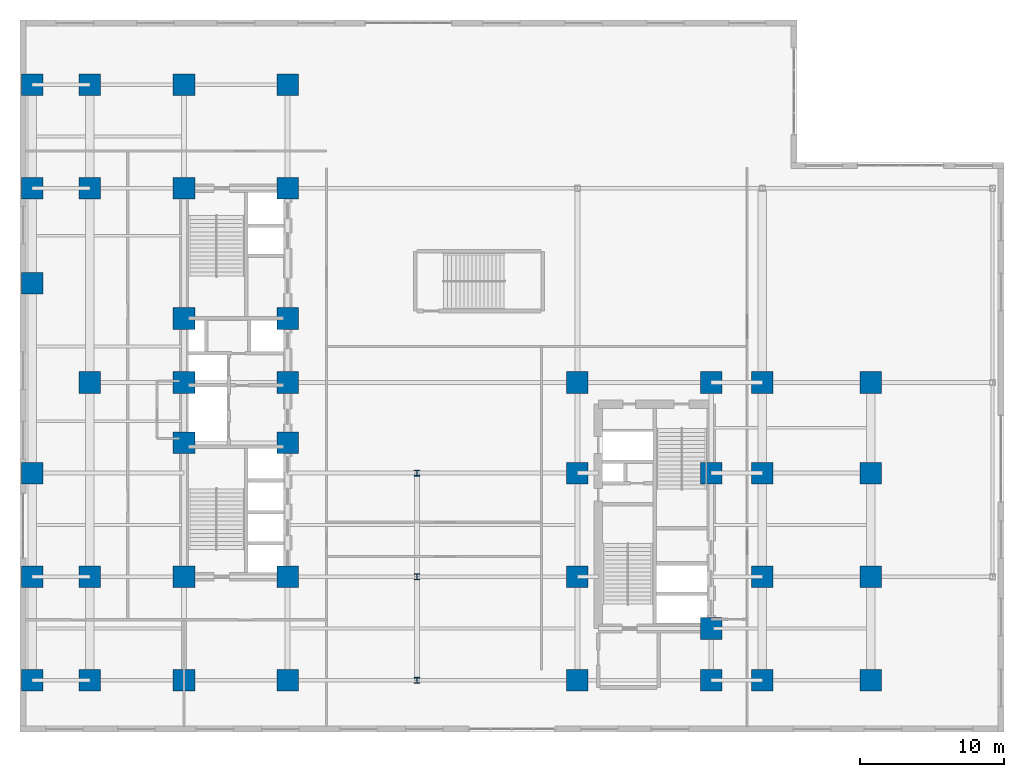
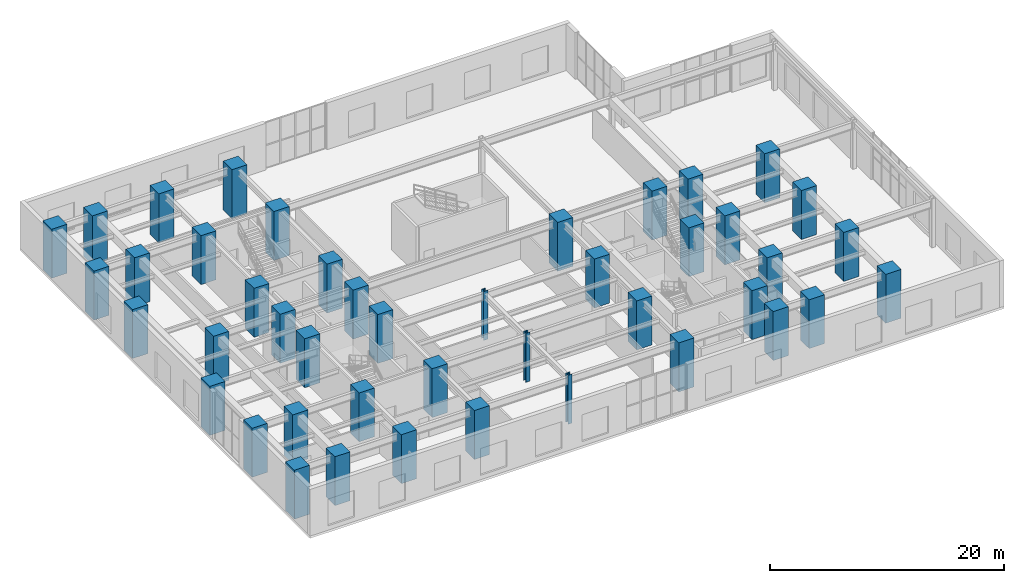
# One storey, part 1 of 23: 44 columns.
"""IFC4 building model written with IfcOpenShell, lengths in metres."""

from ifc_helpers import new_model, entity, si_unit, converted_unit, direction, frame, origin_with_axes, origin_2d_with_axis, place, context, subcontext, project, spatial, rectangle, i_section, extrude, material, material_profile, profile_set, type_object, element, save


model = new_model("IFC4")

# Units and contexts
model_context = context("Model", 3, precision=1e-05, world=origin_with_axes(), true_north=direction((0.0, 1.0)))
body_context = subcontext(model_context, "Body", "Model", "MODEL_VIEW")
ifc_project = project(units=[si_unit("LENGTHUNIT", "METRE"), si_unit("AREAUNIT", "SQUARE_METRE"), si_unit("VOLUMEUNIT", "CUBIC_METRE"), converted_unit("PLANEANGLEUNIT", "DEGREE", entity("IfcPlaneAngleMeasure", 0.017453292519943295), si_unit("PLANEANGLEUNIT", "RADIAN"), dimensions=[0, 0, 0, 0, 0, 0, 0]), si_unit("MASSUNIT", "GRAM", prefix="KILO"), si_unit("THERMODYNAMICTEMPERATUREUNIT", "KELVIN")], contexts=[model_context])

# Site, building, storey
site_placement = place(None, origin_with_axes())
site = spatial("IfcSite", under=ifc_project, at=site_placement, CompositionType="ELEMENT")
building_placement = place(site_placement, origin_with_axes())
building = spatial("IfcBuilding", under=site, at=building_placement, Name="Varnlund Millrace Tower", CompositionType="ELEMENT")
storey_placement = place(building_placement, frame((0.0, 0.0, 5.7), z_axis=(0.0, 0.0, 1.0), x_axis=(1.0, 0.0, 0.0)))
storey = spatial("IfcBuildingStorey", under=building, at=storey_placement, Name="L01", CompositionType="ELEMENT", Elevation=5.7)

# Columns
ifc_material_1 = material(Name="Steel ASTM A913 Grade 65", Category="steel")
ifc_material_profile_1 = material_profile(ifc_material_1, i_section(OverallWidth=0.406, OverallDepth=0.416, WebThickness=0.0298, FlangeThickness=0.048, FilletRadius=0.022, at=origin_2d_with_axis()), Name="Steel ASTM A913 Grade 65")
ifc_profile_set_1 = profile_set([ifc_material_profile_1], Name="Steel ASTM A913 Grade 65")
column_type_1 = type_object("IfcColumnType", Name="Type-Col-Int-W14X257", PredefinedType="COLUMN", material=ifc_profile_set_1)
for number, where, z_axis, x_axis, name in (
    (1, (27.6, 3.6, 0.0), (0.0, 0.0, 1.0), (1.0, 0.0, 0.0), "Type-Col-Int-W14X257"),
    (2, (27.6, 10.8, 0.0), (0.0, 0.0, 1.0), (1.0, 0.0, 0.0), "Type-Col-Int-W14X257"),
    (3, (27.6, 18.0, 0.0), (0.0, 0.0, 1.0), (1.0, 0.0, 0.0), "Type-Col-Int-W14X257"),
):
    element("IfcColumn", number, at=place(storey_placement, frame(where, z_axis=z_axis, x_axis=x_axis)), inside=storey, type_object=column_type_1, Name=name, PredefinedType="COLUMN", context=body_context, shape_type="SweptSolid", body=[
        extrude(i_section(OverallWidth=0.406, OverallDepth=0.416, WebThickness=0.0298, FlangeThickness=0.048, FilletRadius=0.022, at=origin_2d_with_axis()), origin_with_axes(), (0.0, 0.0, 1.0), 5.1),
    ])
ifc_material_2 = material(Name="Concrete C80/95", Category="concrete")
ifc_material_profile_2 = material_profile(ifc_material_2, rectangle(XDim=1.5, YDim=1.5, at=origin_2d_with_axis()), Name="Concrete C80/95")
ifc_profile_set_2 = profile_set([ifc_material_profile_2], Name="Concrete C80/95")
column_type_2 = type_object("IfcColumnType", Name="Type-Col-RC1500-C80", PredefinedType="COLUMN", material=ifc_profile_set_2)
for number, where, z_axis, x_axis, name in (
    (4, (11.4, 3.6, 0.0), (0.0, 0.0, 1.0), (1.0, 0.0, 0.0), "Type-Col-RC1500-C80"),
    (5, (11.4, 10.8, 0.0), (0.0, 0.0, 1.0), (1.0, 0.0, 0.0), "Type-Col-RC1500-C80"),
    (6, (11.4, 20.1, 0.0), (0.0, 0.0, 1.0), (1.0, 0.0, 0.0), "Type-Col-RC1500-C80"),
    (7, (11.4, 24.3, 0.0), (0.0, 0.0, 1.0), (1.0, 0.0, 0.0), "Type-Col-RC1500-C80"),
    (8, (11.4, 28.75, 0.0), (0.0, 0.0, 1.0), (1.0, 0.0, 0.0), "Type-Col-RC1500-C80"),
    (9, (11.4, 37.8, 0.0), (0.0, 0.0, 1.0), (1.0, 0.0, 0.0), "Type-Col-RC1500-C80"),
    (10, (11.4, 45.0, 0.0), (0.0, 0.0, 1.0), (1.0, 0.0, 0.0), "Type-Col-RC1500-C80"),
    (11, (18.6, 3.6, 0.0), (0.0, 0.0, 1.0), (1.0, 0.0, 0.0), "Type-Col-RC1500-C80"),
    (12, (18.6, 10.8, 0.0), (0.0, 0.0, 1.0), (1.0, 0.0, 0.0), "Type-Col-RC1500-C80"),
    (13, (18.6, 20.1, 0.0), (0.0, 0.0, 1.0), (1.0, 0.0, 0.0), "Type-Col-RC1500-C80"),
    (14, (18.6, 24.3, 0.0), (0.0, 0.0, 1.0), (1.0, 0.0, 0.0), "Type-Col-RC1500-C80"),
    (15, (18.6, 28.75, 0.0), (0.0, 0.0, 1.0), (1.0, 0.0, 0.0), "Type-Col-RC1500-C80"),
    (16, (18.6, 37.8, 0.0), (0.0, 0.0, 1.0), (1.0, 0.0, 0.0), "Type-Col-RC1500-C80"),
    (17, (18.6, 45.0, 0.0), (0.0, 0.0, 1.0), (1.0, 0.0, 0.0), "Type-Col-RC1500-C80"),
    (18, (4.85, 3.6, 0.0), (0.0, 0.0, 1.0), (1.0, 0.0, 0.0), "Type-Col-RC1500-C80"),
    (19, (4.85, 10.8, 0.0), (0.0, 0.0, 1.0), (1.0, 0.0, 0.0), "Type-Col-RC1500-C80"),
    (20, (4.85, 24.3, 0.0), (0.0, 0.0, 1.0), (1.0, 0.0, 0.0), "Type-Col-RC1500-C80"),
    (21, (4.85, 37.8, 0.0), (0.0, 0.0, 1.0), (1.0, 0.0, 0.0), "Type-Col-RC1500-C80"),
    (22, (4.85, 45.0, 0.0), (0.0, 0.0, 1.0), (1.0, 0.0, 0.0), "Type-Col-RC1500-C80"),
    (23, (0.85, 3.6, 0.0), (0.0, 0.0, 1.0), (1.0, 0.0, 0.0), "Type-Col-RC1500-C80"),
    (24, (0.85, 10.8, 0.0), (0.0, 0.0, 1.0), (1.0, 0.0, 0.0), "Type-Col-RC1500-C80"),
    (25, (0.85, 18.0, 0.0), (0.0, 0.0, 1.0), (1.0, 0.0, 0.0), "Type-Col-RC1500-C80"),
    (26, (0.85, 31.2, 0.0), (0.0, 0.0, 1.0), (1.0, 0.0, 0.0), "Type-Col-RC1500-C80"),
    (27, (0.85, 37.8, 0.0), (0.0, 0.0, 1.0), (1.0, 0.0, 0.0), "Type-Col-RC1500-C80"),
    (28, (0.85, 45.0, 0.0), (0.0, 0.0, 1.0), (1.0, 0.0, 0.0), "Type-Col-RC1500-C80"),
    (29, (38.75, 3.6, 0.0), (0.0, 0.0, 1.0), (1.0, 0.0, 0.0), "Type-Col-RC1500-C80"),
    (30, (38.75, 10.8, 0.0), (0.0, 0.0, 1.0), (1.0, 0.0, 0.0), "Type-Col-RC1500-C80"),
    (31, (38.75, 18.0, 0.0), (0.0, 0.0, 1.0), (1.0, 0.0, 0.0), "Type-Col-RC1500-C80"),
    (32, (38.75, 24.3, 0.0), (0.0, 0.0, 1.0), (1.0, 0.0, 0.0), "Type-Col-RC1500-C80"),
    (33, (48.05, 3.6, 0.0), (0.0, 0.0, 1.0), (1.0, 0.0, 0.0), "Type-Col-RC1500-C80"),
    (34, (48.05, 7.2, 0.0), (0.0, 0.0, 1.0), (1.0, 0.0, 0.0), "Type-Col-RC1500-C80"),
    (35, (48.05, 18.0, 0.0), (0.0, 0.0, 1.0), (1.0, 0.0, 0.0), "Type-Col-RC1500-C80"),
    (36, (48.05, 24.3, 0.0), (0.0, 0.0, 1.0), (1.0, 0.0, 0.0), "Type-Col-RC1500-C80"),
    (37, (51.6, 3.6, 0.0), (0.0, 0.0, 1.0), (1.0, 0.0, 0.0), "Type-Col-RC1500-C80"),
    (38, (51.6, 10.8, 0.0), (0.0, 0.0, 1.0), (1.0, 0.0, 0.0), "Type-Col-RC1500-C80"),
    (39, (51.6, 18.0, 0.0), (0.0, 0.0, 1.0), (1.0, 0.0, 0.0), "Type-Col-RC1500-C80"),
    (40, (51.6, 24.3, 0.0), (0.0, 0.0, 1.0), (1.0, 0.0, 0.0), "Type-Col-RC1500-C80"),
    (41, (59.15, 3.6, 0.0), (0.0, 0.0, 1.0), (1.0, 0.0, 0.0), "Type-Col-RC1500-C80"),
    (42, (59.15, 10.8, 0.0), (0.0, 0.0, 1.0), (1.0, 0.0, 0.0), "Type-Col-RC1500-C80"),
    (43, (59.15, 18.0, 0.0), (0.0, 0.0, 1.0), (1.0, 0.0, 0.0), "Type-Col-RC1500-C80"),
    (44, (59.15, 24.3, 0.0), (0.0, 0.0, 1.0), (1.0, 0.0, 0.0), "Type-Col-RC1500-C80"),
):
    element("IfcColumn", number, at=place(storey_placement, frame(where, z_axis=z_axis, x_axis=x_axis)), inside=storey, type_object=column_type_2, Name=name, PredefinedType="COLUMN", context=body_context, shape_type="SweptSolid", body=[
        extrude(rectangle(XDim=1.5, YDim=1.5, at=origin_2d_with_axis()), origin_with_axes(), (0.0, 0.0, 1.0), 5.1),
    ])

save(model, "model.ifc")
